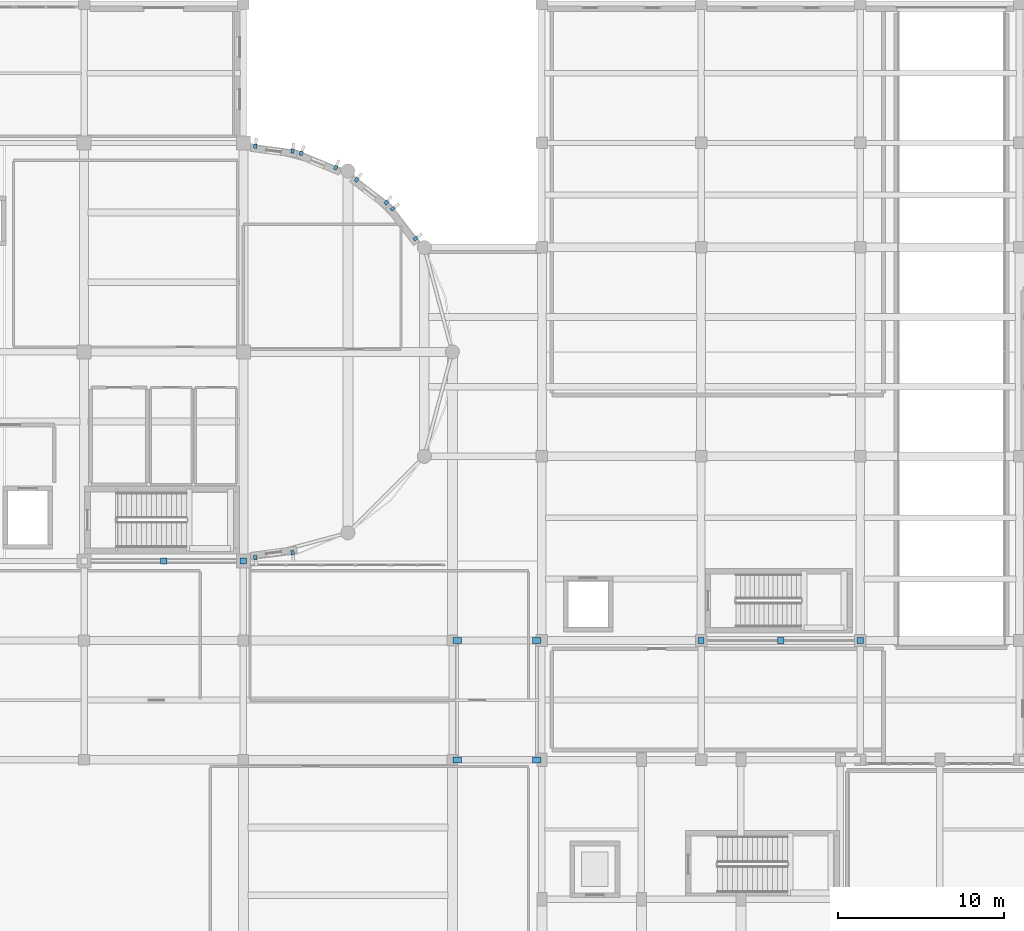
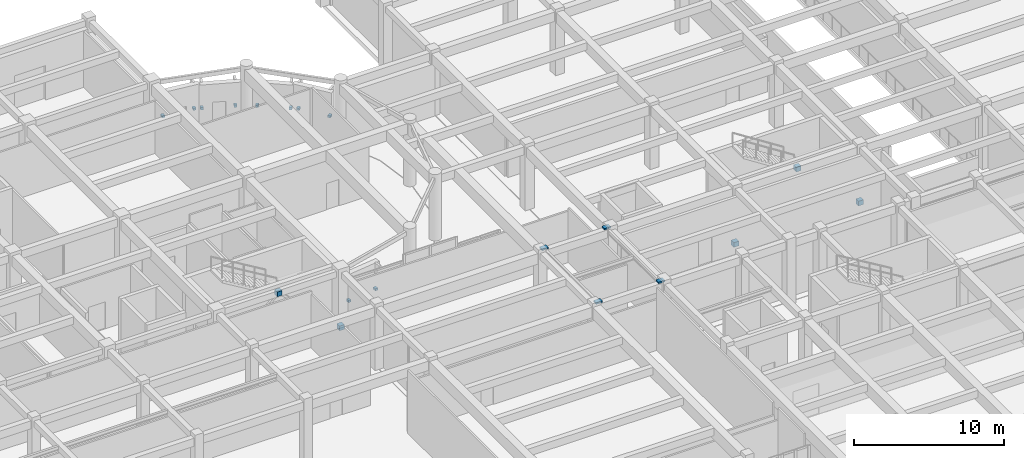
# One storey, part 82 of 98: 19 discrete accessories.
"""IFC4 building model written with IfcOpenShell, lengths in metres."""

from ifc_helpers import new_model, si_unit, direction, frame, origin, origin_2d, place, context, subcontext, project, spatial, rectangle, extrude, material, type_object, element, save


model = new_model("IFC4")

# Units and contexts
model_context = context("Model", 3, precision=1e-05, world=origin(), true_north=direction((0.0, 1.0)))
body_context = subcontext(model_context, "Body", "Model", "MODEL_VIEW")
ifc_project = project(units=[si_unit("LENGTHUNIT", "METRE"), si_unit("AREAUNIT", "SQUARE_METRE"), si_unit("VOLUMEUNIT", "CUBIC_METRE"), si_unit("PLANEANGLEUNIT", "RADIAN"), si_unit("MASSUNIT", "GRAM", prefix="KILO")], contexts=[model_context])

# Site, building, storey
site_placement = place(None, origin())
site = spatial("IfcSite", under=ifc_project, at=site_placement, CompositionType="ELEMENT")
building_placement = place(site_placement, origin())
building = spatial("IfcBuilding", under=site, at=building_placement, Name="Tarnavel Promenade Courthouse", CompositionType="ELEMENT")
storey_placement = place(building_placement, origin())
storey = spatial("IfcBuildingStorey", under=building, at=storey_placement, Name="L01", CompositionType="ELEMENT", Elevation=0.0)

# Discrete accessories
ifc_material = material(Name="Steel S355J2", Category="steel")
discrete_accessory_type_1 = type_object("IfcDiscreteAccessoryType", Name="Steel S355J2 Facade Pier Anchor Bracket", PredefinedType="BRACKET", material=ifc_material)
for number, where, z_axis, x_axis, name in (
    (1, (102.7255859375, 79.396484375, 2.044921875), (0.0, 0.0, 1.0), (0.991444861374, 0.13052619222, 0.0), "L01 Drum Pier Bracket 0021"),
    (2, (104.970458984375, 79.69189453125, 2.044921875), (0.0, 0.0, 1.0), (0.991444861374, 0.13052619222, 0.0), "L01 Drum Pier Bracket 0022"),
    (3, (112.37890625, 98.630126953125, 2.044921875), (0.0, 0.0, 1.0), (-0.608761429009, 0.793353340291, 0.0), "L01 Drum Pier Bracket 0023"),
    (4, (111.000732421875, 100.426513671875, 2.044921875), (0.0, 0.0, 1.0), (-0.608761429009, 0.793353340291, 0.0), "L01 Drum Pier Bracket 0024"),
    (5, (110.62646484375, 100.80078125, 1.9951171875), (0.0, 0.0, 1.0), (-0.793353340291, 0.608761429009, 0.0), "L01 Drum Pier Bracket 0025"),
    (6, (108.830078125, 102.178955078125, 1.9951171875), (0.0, 0.0, 1.0), (-0.793353340291, 0.608761429009, 0.0), "L01 Drum Pier Bracket 0026"),
    (7, (107.573486328125, 102.904541015625, 1.9951171875), (0.0, 0.0, 1.0), (-0.923879532511, 0.382683432365, 0.0), "L01 Drum Pier Bracket 0027"),
    (8, (105.4814453125, 103.77099609375, 1.9951171875), (0.0, 0.0, 1.0), (-0.923879532511, 0.382683432365, 0.0), "L01 Drum Pier Bracket 0028"),
    (9, (104.970458984375, 103.908203125, 2.044921875), (0.0, 0.0, 1.0), (-0.991444861374, 0.13052619222, 0.0), "L01 Drum Pier Bracket 0029"),
    (10, (102.7255859375, 104.20361328125, 2.044921875), (0.0, 0.0, 1.0), (-0.991444861374, 0.13052619222, 0.0), "L01 Drum Pier Bracket 0030"),
):
    element("IfcDiscreteAccessory", number, at=place(storey_placement, frame(where, z_axis=z_axis, x_axis=x_axis)), inside=storey, type_object=discrete_accessory_type_1, Name=name, PredefinedType="BRACKET", context=body_context, shape_type="SweptSolid", body=[
        extrude(rectangle(XDim=0.199951171875, YDim=0.260009765625, at=origin_2d()), origin(), (0.0, 0.0, 1.0), 0.179931640625),
    ])
discrete_accessory_type_2 = type_object("IfcDiscreteAccessoryType", Name="Steel S355J2 Structural Connection Bracket", PredefinedType="BRACKET", material=ifc_material)
for number, where, z_axis, x_axis, name in (
    (11, (114.89990234375, 67.199951171875, 5.1298828125), (0.0, 0.0, 1.0), (1.0, 0.0, 0.0), "Link Bridge BRE PTFE Sliding Bearing W"),
    (12, (119.699951171875, 67.199951171875, 5.1298828125), (0.0, 0.0, 1.0), (1.0, 0.0, 0.0), "Link Bridge BRE PTFE Sliding Bearing E"),
    (13, (114.89990234375, 74.39990234375, 5.1298828125), (0.0, 0.0, 1.0), (1.0, 0.0, 0.0), "Link Bridge BRE PTFE Sliding Bearing W"),
    (14, (119.699951171875, 74.39990234375, 5.1298828125), (0.0, 0.0, 1.0), (1.0, 0.0, 0.0), "Link Bridge BRE PTFE Sliding Bearing E"),
):
    element("IfcDiscreteAccessory", number, at=place(storey_placement, frame(where, z_axis=z_axis, x_axis=x_axis)), inside=storey, type_object=discrete_accessory_type_2, Name=name, PredefinedType="BRACKET", context=body_context, shape_type="SweptSolid", body=[
        extrude(rectangle(XDim=0.5, YDim=0.360107421875, at=origin_2d()), origin(), (0.0, 0.0, 1.0), 0.1201171875),
    ])
for number, where, z_axis, x_axis, name in (
    (15, (97.199951171875, 79.199951171875, 4.655029296875), (0.0, 0.0, 1.0), (1.0, 0.0, 0.0), "L01 V5 Chevron Brace Gusset Node 012-M"),
    (16, (102.0, 79.199951171875, 0.205078125), (0.0, 0.0, 1.0), (1.0, 0.0, 0.0), "L01 V5 Chevron Brace Gusset Node 012-R"),
    (17, (129.60009765625, 74.39990234375, 0.2451171875), (0.0, 0.0, 1.0), (1.0, 0.0, 0.0), "L01 V6 Chevron Brace Gusset Node 048-L"),
    (18, (134.39990234375, 74.39990234375, 4.695068359375), (0.0, 0.0, 1.0), (1.0, 0.0, 0.0), "L01 V6 Chevron Brace Gusset Node 048-M"),
    (19, (139.199951171875, 74.39990234375, 0.2451171875), (0.0, 0.0, 1.0), (1.0, 0.0, 0.0), "L01 V6 Chevron Brace Gusset Node 048-R"),
):
    element("IfcDiscreteAccessory", number, at=place(storey_placement, frame(where, z_axis=z_axis, x_axis=x_axis)), inside=storey, type_object=discrete_accessory_type_2, Name=name, PredefinedType="BRACKET", context=body_context, shape_type="SweptSolid", body=[
        extrude(rectangle(XDim=0.3798828125, YDim=0.360107421875, at=origin_2d()), origin(), (0.0, 0.0, 1.0), 0.3798828125),
    ])

save(model, "model.ifc")
